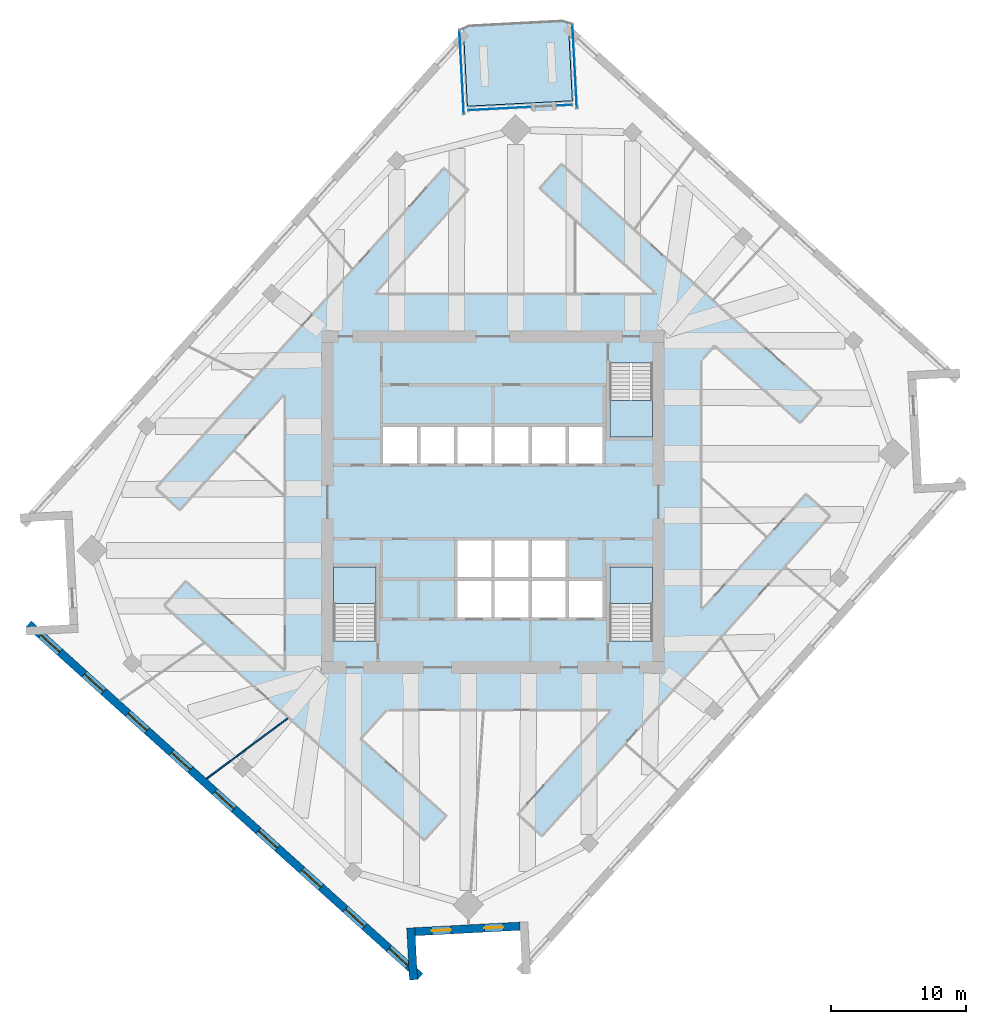
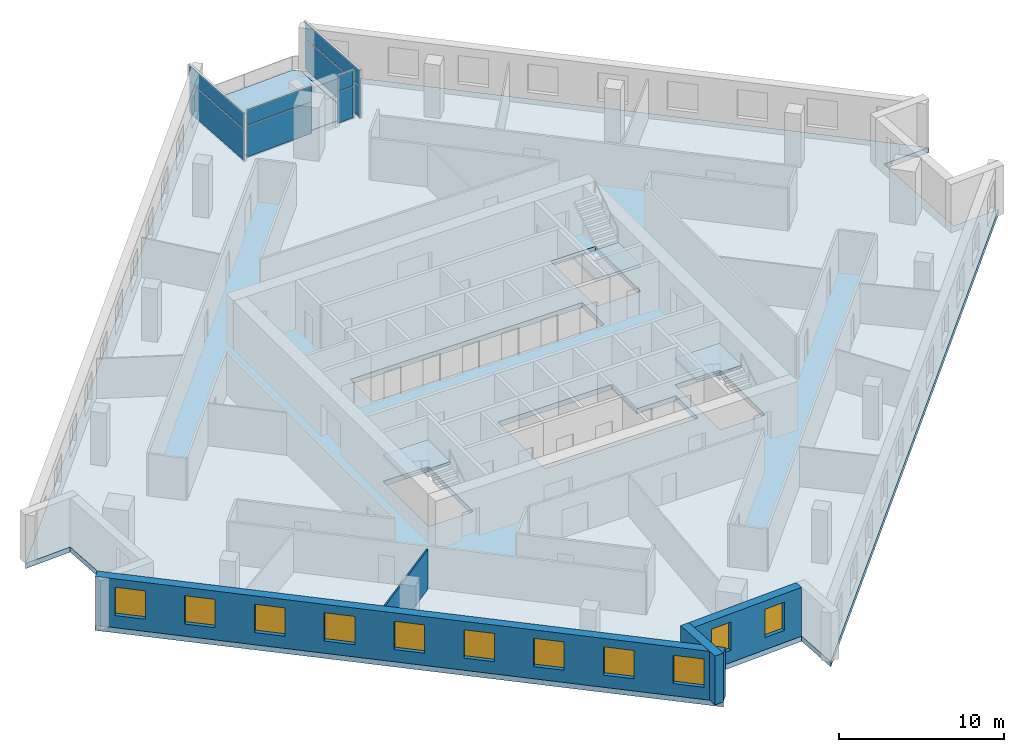
# One storey, part 5 of 12: 11 windows, 8 plates, 5 slabs, 4 walls, 11 openings, 7 elements without a shape of their own.
"""IFC4 building model written with IfcOpenShell, lengths in metres."""

from ifc_helpers import new_model, si_unit, direction, frame, frame_2d, origin, origin_2d, place, context, subcontext, project, spatial, polyline, rectangle, outline, extrude, material, layer, layer_set, type_object, element, fill, aggregate, save


model = new_model("IFC4")

# Units and contexts
model_context = context("Model", 3, precision=1e-05, world=origin(), true_north=direction((0.0, 1.0)))
body_context = subcontext(model_context, "Body", "Model", "MODEL_VIEW")
ifc_project = project(units=[si_unit("LENGTHUNIT", "METRE"), si_unit("AREAUNIT", "SQUARE_METRE"), si_unit("VOLUMEUNIT", "CUBIC_METRE"), si_unit("PLANEANGLEUNIT", "RADIAN"), si_unit("MASSUNIT", "GRAM", prefix="KILO")], contexts=[model_context])

# Site, building, storey
site_placement = place(None, origin())
site = spatial("IfcSite", under=ifc_project, at=site_placement, CompositionType="ELEMENT")
building_placement = place(site_placement, origin())
building = spatial("IfcBuilding", under=site, at=building_placement, Name="Dilmun Exchange Tower", CompositionType="ELEMENT")
storey_placement = place(building_placement, frame((0.0, 0.0, 217.300048828125)))
storey = spatial("IfcBuildingStorey", under=building, at=storey_placement, Name="L51", CompositionType="ELEMENT", Elevation=217.300048828125)

# Stair, slab
ifc_material_1 = material(Name="Concrete C40/50", Category="concrete")
stair_type = type_object("IfcStairType", Name="Exit stair 1500 half-turn", PredefinedType="HALF_TURN_STAIR", material=ifc_material_1)
stair_1_placement = place(storey_placement, origin())
stair_1 = element("IfcStair", 1, at=stair_1_placement, inside=storey, type_object=stair_type, Name="L51 Protected exit stair ST1", PredefinedType="HALF_TURN_STAIR")
ifc_layer_1 = layer(ifc_material_1, 0.199951171875)
ifc_layer_set_1 = layer_set([ifc_layer_1], Name="Concrete C40/50")
slab_type_1 = type_object("IfcSlabType", Name="Exit stair landing 200", PredefinedType="LANDING", material=ifc_layer_set_1)
slab_1_placement = place(storey_placement, frame((0.0, 0.0, 1.800048828125)))
slab_1 = element("IfcSlab", 2, at=slab_1_placement, type_object=slab_type_1, Name="ST1 landing 1", PredefinedType="LANDING", context=body_context, shape_type="SweptSolid", body=[
    extrude(outline(polyline([(8.64990234375, 7.5), (8.64990234375, 4.800048828125), (11.800048828125, 4.800048828125), (11.800048828125, 7.5), (8.64990234375, 7.5)])), origin(), (0.0, 0.0, 1.0), 0.199951171875),
])
aggregate(stair_1, [slab_1])

stair_2_placement = place(storey_placement, origin())
stair_2 = element("IfcStair", 3, at=stair_2_placement, inside=storey, type_object=stair_type, Name="L51 Protected exit stair ST2", PredefinedType="HALF_TURN_STAIR")
slab_2_placement = place(storey_placement, frame((0.0, 0.0, 1.800048828125)))
slab_2 = element("IfcSlab", 4, at=slab_2_placement, type_object=slab_type_1, Name="ST2 landing 1", PredefinedType="LANDING", context=body_context, shape_type="SweptSolid", body=[
    extrude(outline(polyline([(-8.64990234375, -7.5), (-8.64990234375, -4.800048828125), (-11.800048828125, -4.800048828125), (-11.800048828125, -7.5), (-8.64990234375, -7.5)])), origin(), (0.0, 0.0, 1.0), 0.199951171875),
])
aggregate(stair_2, [slab_2])

stair_3_placement = place(storey_placement, origin())
stair_3 = element("IfcStair", 5, at=stair_3_placement, inside=storey, type_object=stair_type, Name="L51 Protected exit stair ST3", PredefinedType="HALF_TURN_STAIR")
slab_3_placement = place(storey_placement, frame((0.0, 0.0, 1.800048828125)))
slab_3 = element("IfcSlab", 6, at=slab_3_placement, type_object=slab_type_1, Name="ST3 landing 1", PredefinedType="LANDING", context=body_context, shape_type="SweptSolid", body=[
    extrude(outline(polyline([(11.800048828125, -7.5), (11.800048828125, -4.800048828125), (8.64990234375, -4.800048828125), (8.64990234375, -7.5), (11.800048828125, -7.5)])), origin(), (0.0, 0.0, 1.0), 0.199951171875),
])
aggregate(stair_3, [slab_3])

# Curtain wall, plates
ifc_material_2 = material(Name="Anodised aluminium and clear glass", Category="aluminium")
curtain_wall_type = type_object("IfcCurtainWallType", Name="Garden corner glazing", PredefinedType="NOTDEFINED", material=ifc_material_2)
curtain_wall_1_placement = place(storey_placement, origin())
curtain_wall_1 = element("IfcCurtainWall", 7, at=curtain_wall_1_placement, inside=storey, type_object=curtain_wall_type, Name="Garden corner glazing run GC1.1", PredefinedType="NOTDEFINED")
ifc_material_3 = material(Name="Clear glass", Category="glass")
ifc_layer_2 = layer(ifc_material_3, 0.028076171875)
ifc_layer_set_2 = layer_set([ifc_layer_2], Name="Clear glass")
plate_type = type_object("IfcPlateType", Name="Garden corner glazing glass panel 28", PredefinedType="CURTAIN_PANEL", material=ifc_layer_set_2)
plate_1_placement = place(storey_placement, frame((6.045654296875, 32.2392578125, 0.059814453125), z_axis=(0.0, 0.0, 1.0), x_axis=(0.052333643452, -0.99862965596, 0.0)))
plate_1 = element("IfcPlate", 8, at=plate_1_placement, type_object=plate_type, Name="GC1.1 panel 1.1", PredefinedType="CURTAIN_PANEL", context=body_context, shape_type="SweptSolid", body=[
    extrude(rectangle(XDim=6.12646484375, YDim=0.028076171875, at=origin_2d()), origin(), (0.0, 0.0, 1.0), 2.31005859375),
])
plate_2_placement = place(storey_placement, frame((6.045654296875, 32.2392578125, 2.429931640625), z_axis=(0.0, 0.0, 1.0), x_axis=(0.052333643452, -0.99862965596, 0.0)))
plate_2 = element("IfcPlate", 9, at=plate_2_placement, type_object=plate_type, Name="GC1.1 panel 1.2", PredefinedType="CURTAIN_PANEL", context=body_context, shape_type="SweptSolid", body=[
    extrude(rectangle(XDim=6.12646484375, YDim=0.028076171875, at=origin_2d()), origin(), (0.0, 0.0, 1.0), 1.1298828125),
])
aggregate(curtain_wall_1, [plate_1, plate_2])

curtain_wall_2_placement = place(storey_placement, origin())
curtain_wall_2 = element("IfcCurtainWall", 10, at=curtain_wall_2_placement, inside=storey, type_object=curtain_wall_type, Name="Garden corner glazing run GC2.1", PredefinedType="NOTDEFINED")
plate_3_placement = place(storey_placement, frame((5.275146484375, 29.37158203125, 0.059814453125), z_axis=(0.0, 0.0, 1.0), x_axis=(-0.998627399071, -0.052376691608, 0.0)))
plate_3 = element("IfcPlate", 11, at=plate_3_placement, type_object=plate_type, Name="GC2.1 panel 1.1", PredefinedType="CURTAIN_PANEL", context=body_context, shape_type="SweptSolid", body=[
    extrude(rectangle(XDim=1.119140625, YDim=0.028076171875, at=origin_2d()), origin(), (0.0, 0.0, 1.0), 2.31005859375),
])
plate_4_placement = place(storey_placement, frame((5.275146484375, 29.37158203125, 2.429931640625), z_axis=(0.0, 0.0, 1.0), x_axis=(-0.998627399071, -0.052376691608, 0.0)))
plate_4 = element("IfcPlate", 12, at=plate_4_placement, type_object=plate_type, Name="GC2.1 panel 1.2", PredefinedType="CURTAIN_PANEL", context=body_context, shape_type="SweptSolid", body=[
    extrude(rectangle(XDim=1.119140625, YDim=0.028076171875, at=origin_2d()), origin(), (0.0, 0.0, 1.0), 1.1298828125),
])
aggregate(curtain_wall_2, [plate_3, plate_4])

curtain_wall_3_placement = place(storey_placement, origin())
curtain_wall_3 = element("IfcCurtainWall", 13, at=curtain_wall_3_placement, inside=storey, type_object=curtain_wall_type, Name="Garden corner glazing run GC2.3", PredefinedType="NOTDEFINED")
plate_5_placement = place(storey_placement, frame((0.49267578125, 29.12109375, 0.059814453125), z_axis=(0.0, 0.0, 1.0), x_axis=(-0.998629811068, -0.052330683595, 0.0)))
plate_5 = element("IfcPlate", 14, at=plate_5_placement, type_object=plate_type, Name="GC2.3 panel 1.1", PredefinedType="CURTAIN_PANEL", context=body_context, shape_type="SweptSolid", body=[
    extrude(rectangle(XDim=4.619140625, YDim=0.028076171875, at=origin_2d()), origin(), (0.0, 0.0, 1.0), 2.31005859375),
])
plate_6_placement = place(storey_placement, frame((0.49267578125, 29.12109375, 2.429931640625), z_axis=(0.0, 0.0, 1.0), x_axis=(-0.998629811068, -0.052330683595, 0.0)))
plate_6 = element("IfcPlate", 15, at=plate_6_placement, type_object=plate_type, Name="GC2.3 panel 1.2", PredefinedType="CURTAIN_PANEL", context=body_context, shape_type="SweptSolid", body=[
    extrude(rectangle(XDim=4.619140625, YDim=0.028076171875, at=origin_2d()), origin(), (0.0, 0.0, 1.0), 1.1298828125),
])
aggregate(curtain_wall_3, [plate_5, plate_6])

curtain_wall_4_placement = place(storey_placement, origin())
curtain_wall_4 = element("IfcCurtainWall", 16, at=curtain_wall_4_placement, inside=storey, type_object=curtain_wall_type, Name="Garden corner glazing run GC3.1", PredefinedType="NOTDEFINED")
plate_7_placement = place(storey_placement, frame((-2.321044921875, 31.800537109375, 0.059814453125), z_axis=(0.0, 0.0, 1.0), x_axis=(-0.052333643452, 0.99862965596, 0.0)))
plate_7 = element("IfcPlate", 17, at=plate_7_placement, type_object=plate_type, Name="GC3.1 panel 1.1", PredefinedType="CURTAIN_PANEL", context=body_context, shape_type="SweptSolid", body=[
    extrude(rectangle(XDim=6.12646484375, YDim=0.028076171875, at=origin_2d()), origin(), (0.0, 0.0, 1.0), 2.31005859375),
])
plate_8_placement = place(storey_placement, frame((-2.321044921875, 31.800537109375, 2.429931640625), z_axis=(0.0, 0.0, 1.0), x_axis=(-0.052333643452, 0.99862965596, 0.0)))
plate_8 = element("IfcPlate", 18, at=plate_8_placement, type_object=plate_type, Name="GC3.1 panel 1.2", PredefinedType="CURTAIN_PANEL", context=body_context, shape_type="SweptSolid", body=[
    extrude(rectangle(XDim=6.12646484375, YDim=0.028076171875, at=origin_2d()), origin(), (0.0, 0.0, 1.0), 1.1298828125),
])
aggregate(curtain_wall_4, [plate_7, plate_8])

# Slabs
ifc_layer_3 = layer(ifc_material_1, 0.3798828125)
ifc_layer_set_3 = layer_set([ifc_layer_3], Name="Concrete C40/50")
slab_type_2 = type_object("IfcSlabType", Name="RC floor slab 380", PredefinedType="FLOOR", material=ifc_layer_set_3)
slab_4_placement = place(storey_placement, frame((0.0, 0.0, -0.380126953125)))
element("IfcSlab", 19, at=slab_4_placement, inside=storey, type_object=slab_type_2, Name="Floor slab", PredefinedType="FLOOR", context=body_context, shape_type="SweptSolid", body=[
    extrude(outline(polyline([(31.3232421875, 9.076416015625), (31.730224609375, 1.308837890625), (34.972412109375, 1.478759765625), (2.184814453125, -34.935302734375), (2.014892578125, -31.693359375), (-5.75244140625, -32.100341796875), (-5.58251953125, -35.34228515625), (-34.565185546875, -9.246337890625), (-31.3232421875, -9.076416015625), (-31.730224609375, -1.308837890625), (-34.972412109375, -1.478759765625), (-2.184814453125, 34.935302734375), (-1.889404296875, 29.296630859375), (5.878173828125, 29.70361328125), (5.58251953125, 35.34228515625), (34.565185546875, 9.246337890625), (31.3232421875, 9.076416015625)]), holes=[polyline([(-8.64990234375, -4.800048828125), (-11.800048828125, -4.800048828125), (-11.800048828125, -10.294921875), (-8.64990234375, -10.294921875), (-8.64990234375, -4.800048828125)]), polyline([(11.800048828125, -4.800048828125), (8.64990234375, -4.800048828125), (8.64990234375, -10.294921875), (11.800048828125, -10.294921875), (11.800048828125, -4.800048828125)]), polyline([(5.375, -2.85009765625), (-2.625, -2.85009765625), (-2.625, -8.550048828125), (8.125, -8.550048828125), (8.125, -5.85009765625), (5.375, -5.85009765625), (5.375, -2.85009765625)]), polyline([(8.125, 2.85009765625), (8.125, 5.550048828125), (-8.125, 5.550048828125), (-8.125, 2.85009765625), (8.125, 2.85009765625)]), polyline([(8.64990234375, 10.294921875), (8.64990234375, 4.800048828125), (11.800048828125, 4.800048828125), (11.800048828125, 10.294921875), (8.64990234375, 10.294921875)])]), origin(), (0.0, 0.0, 1.0), 0.380126953125),
])
ifc_layer_4 = layer(ifc_material_1, 0.300048828125)
ifc_layer_set_4 = layer_set([ifc_layer_4], Name="Concrete C40/50")
slab_type_3 = type_object("IfcSlabType", Name="RC garden terrace slab 300", PredefinedType="FLOOR", material=ifc_layer_set_4)
slab_5_placement = place(storey_placement, frame((0.0, 0.0, -0.300048828125)))
element("IfcSlab", 20, at=slab_5_placement, inside=storey, type_object=slab_type_3, Name="Garden terrace slab", PredefinedType="FLOOR", context=body_context, shape_type="SweptSolid", body=[
    extrude(outline(polyline([(-1.889404296875, 29.296630859375), (-2.184814453125, 34.935302734375), (-1.850341796875, 35.306884765625), (5.2109375, 35.677001953125), (5.58251953125, 35.34228515625), (5.878173828125, 29.70361328125), (-1.889404296875, 29.296630859375)])), origin(), (0.0, 0.0, 1.0), 0.300048828125),
])

# Wall
ifc_material_4 = material(Name="Partition 100")
ifc_layer_5 = layer(ifc_material_4, 0.10009765625)
ifc_layer_set_5 = layer_set([ifc_layer_5], Name="Partition 100")
wall_type_1 = type_object("IfcWallType", Name="Partition 100", PredefinedType="PARTITIONING", material=ifc_layer_set_5)
wall_1_placement = place(storey_placement, frame((-21.193359375, -20.476318359375, 0.0), z_axis=(0.0, 0.0, 1.0), x_axis=(0.802187781021, 0.597071824808, 0.0)))
element("IfcWall", 21, at=wall_1_placement, inside=storey, type_object=wall_type_1, Name="Partition", PredefinedType="PARTITIONING", context=body_context, shape_type="SweptSolid", body=[
    extrude(rectangle(XDim=7.480712890625, YDim=0.10009765625, at=frame_2d((3.740234375, 0.0))), origin(), (0.0, 0.0, 1.0), 2.969970703125),
])

# Wall, openings, windows
ifc_material_5 = material(Name="Precast concrete C50/60", Category="concrete")
ifc_layer_6 = layer(ifc_material_5, 0.60009765625)
ifc_layer_set_6 = layer_set([ifc_layer_6], Name="Precast concrete C50/60")
wall_type_2 = type_object("IfcWallType", Name="Precast stone-clad wall 600", PredefinedType="STANDARD", material=ifc_layer_set_6)
wall_2_placement = place(storey_placement, frame((-34.364501953125, -9.0234375, 0.0), z_axis=(0.0, 0.0, 1.0), x_axis=(0.743146896498, -0.66912830625, 0.0)))
wall_2 = element("IfcWall", 22, at=wall_2_placement, inside=storey, type_object=wall_type_2, Name="Facade wall L51-07", PredefinedType="STANDARD", context=body_context, shape_type="SweptSolid", body=[
    extrude(rectangle(XDim=39.0, YDim=0.60009765625, at=frame_2d((19.5, 0.0))), origin(), (0.0, 0.0, 1.0), 3.619873046875),
])
opening_1_placement = place(wall_2_placement, frame((1.216796875, 0.0, 0.89990234375)))
opening_1 = element("IfcOpeningElement", 23, at=opening_1_placement, cuts=wall_2, Name="Opening W190-210", PredefinedType="OPENING", context=body_context, shape_type="SweptSolid", body=[
    extrude(rectangle(XDim=1.89990234375, YDim=2.10009765625, at=frame_2d((0.949951171875, 1.050048828125))), frame((0.0, 0.31005859375, 0.0), z_axis=(0.0, -1.0, 0.0), x_axis=(1.0, 0.0, 0.0)), (0.0, 0.0, 1.0), 0.6201171875),
])
opening_2_placement = place(wall_2_placement, frame((5.550048828125, 0.0, 0.89990234375)))
opening_2 = element("IfcOpeningElement", 24, at=opening_2_placement, cuts=wall_2, Name="Opening W190-210", PredefinedType="OPENING", context=body_context, shape_type="SweptSolid", body=[
    extrude(rectangle(XDim=1.89990234375, YDim=2.10009765625, at=frame_2d((0.949951171875, 1.050048828125))), frame((0.0, 0.31005859375, 0.0), z_axis=(0.0, -1.0, 0.0), x_axis=(1.0, 0.0, 0.0)), (0.0, 0.0, 1.0), 0.6201171875),
])
opening_3_placement = place(wall_2_placement, frame((9.88330078125, 0.0, 0.89990234375)))
opening_3 = element("IfcOpeningElement", 25, at=opening_3_placement, cuts=wall_2, Name="Opening W190-210", PredefinedType="OPENING", context=body_context, shape_type="SweptSolid", body=[
    extrude(rectangle(XDim=1.89990234375, YDim=2.10009765625, at=frame_2d((0.949951171875, 1.050048828125))), frame((0.0, 0.31005859375, 0.0), z_axis=(0.0, -1.0, 0.0), x_axis=(1.0, 0.0, 0.0)), (0.0, 0.0, 1.0), 0.6201171875),
])
opening_4_placement = place(wall_2_placement, frame((14.216796875, 0.0, 0.89990234375)))
opening_4 = element("IfcOpeningElement", 26, at=opening_4_placement, cuts=wall_2, Name="Opening W190-210", PredefinedType="OPENING", context=body_context, shape_type="SweptSolid", body=[
    extrude(rectangle(XDim=1.89990234375, YDim=2.10009765625, at=frame_2d((0.949951171875, 1.050048828125))), frame((0.0, 0.31005859375, 0.0), z_axis=(0.0, -1.0, 0.0), x_axis=(1.0, 0.0, 0.0)), (0.0, 0.0, 1.0), 0.6201171875),
])
opening_5_placement = place(wall_2_placement, frame((18.550048828125, 0.0, 0.89990234375)))
opening_5 = element("IfcOpeningElement", 27, at=opening_5_placement, cuts=wall_2, Name="Opening W190-210", PredefinedType="OPENING", context=body_context, shape_type="SweptSolid", body=[
    extrude(rectangle(XDim=1.89990234375, YDim=2.10009765625, at=frame_2d((0.949951171875, 1.050048828125))), frame((0.0, 0.31005859375, 0.0), z_axis=(0.0, -1.0, 0.0), x_axis=(1.0, 0.0, 0.0)), (0.0, 0.0, 1.0), 0.6201171875),
])
opening_6_placement = place(wall_2_placement, frame((22.88330078125, 0.0, 0.89990234375)))
opening_6 = element("IfcOpeningElement", 28, at=opening_6_placement, cuts=wall_2, Name="Opening W190-210", PredefinedType="OPENING", context=body_context, shape_type="SweptSolid", body=[
    extrude(rectangle(XDim=1.89990234375, YDim=2.10009765625, at=frame_2d((0.949951171875, 1.050048828125))), frame((0.0, 0.31005859375, 0.0), z_axis=(0.0, -1.0, 0.0), x_axis=(1.0, 0.0, 0.0)), (0.0, 0.0, 1.0), 0.6201171875),
])
opening_7_placement = place(wall_2_placement, frame((27.216796875, 0.0, 0.89990234375)))
opening_7 = element("IfcOpeningElement", 29, at=opening_7_placement, cuts=wall_2, Name="Opening W190-210", PredefinedType="OPENING", context=body_context, shape_type="SweptSolid", body=[
    extrude(rectangle(XDim=1.89990234375, YDim=2.10009765625, at=frame_2d((0.949951171875, 1.050048828125))), frame((0.0, 0.31005859375, 0.0), z_axis=(0.0, -1.0, 0.0), x_axis=(1.0, 0.0, 0.0)), (0.0, 0.0, 1.0), 0.6201171875),
])
opening_8_placement = place(wall_2_placement, frame((31.550048828125, 0.0, 0.89990234375)))
opening_8 = element("IfcOpeningElement", 30, at=opening_8_placement, cuts=wall_2, Name="Opening W190-210", PredefinedType="OPENING", context=body_context, shape_type="SweptSolid", body=[
    extrude(rectangle(XDim=1.89990234375, YDim=2.10009765625, at=frame_2d((0.949951171875, 1.050048828125))), frame((0.0, 0.31005859375, 0.0), z_axis=(0.0, -1.0, 0.0), x_axis=(1.0, 0.0, 0.0)), (0.0, 0.0, 1.0), 0.6201171875),
])
opening_9_placement = place(wall_2_placement, frame((35.88330078125, 0.0, 0.89990234375)))
opening_9 = element("IfcOpeningElement", 31, at=opening_9_placement, cuts=wall_2, Name="Opening W190-210", PredefinedType="OPENING", context=body_context, shape_type="SweptSolid", body=[
    extrude(rectangle(XDim=1.89990234375, YDim=2.10009765625, at=frame_2d((0.949951171875, 1.050048828125))), frame((0.0, 0.31005859375, 0.0), z_axis=(0.0, -1.0, 0.0), x_axis=(1.0, 0.0, 0.0)), (0.0, 0.0, 1.0), 0.6201171875),
])
ifc_material_6 = material(Name="Clear low-emissivity glass in aluminium frame", Category="aluminium")
window_type_1 = type_object("IfcWindowType", Name="Punched window 1900 x 2100", PartitioningType="DOUBLE_PANEL_VERTICAL", PredefinedType="WINDOW", material=ifc_material_6)
window_1_placement = place(opening_1_placement, origin())
window_1 = element("IfcWindow", 32, at=window_1_placement, inside=storey, type_object=window_type_1, Name="Window 8.1", OverallHeight=2.10009765625, OverallWidth=1.89990234375, PartitioningType="SINGLE_PANEL", PredefinedType="WINDOW", context=body_context, shape_type="SweptSolid", body=[
    extrude(rectangle(XDim=1.89990234375, YDim=2.10009765625, at=frame_2d((0.949951171875, 1.050048828125))), frame((0.0, 0.030029296875, 0.0), z_axis=(0.0, -1.0, 0.0), x_axis=(1.0, 0.0, 0.0)), (0.0, 0.0, 1.0), 0.06005859375),
])
fill(opening_1, window_1)
window_2_placement = place(opening_2_placement, origin())
window_2 = element("IfcWindow", 33, at=window_2_placement, inside=storey, type_object=window_type_1, Name="Window 8.2", OverallHeight=2.10009765625, OverallWidth=1.89990234375, PartitioningType="SINGLE_PANEL", PredefinedType="WINDOW", context=body_context, shape_type="SweptSolid", body=[
    extrude(rectangle(XDim=1.89990234375, YDim=2.10009765625, at=frame_2d((0.949951171875, 1.050048828125))), frame((0.0, 0.030029296875, 0.0), z_axis=(0.0, -1.0, 0.0), x_axis=(1.0, 0.0, 0.0)), (0.0, 0.0, 1.0), 0.06005859375),
])
fill(opening_2, window_2)
window_3_placement = place(opening_3_placement, origin())
window_3 = element("IfcWindow", 34, at=window_3_placement, inside=storey, type_object=window_type_1, Name="Window 8.3", OverallHeight=2.10009765625, OverallWidth=1.89990234375, PartitioningType="SINGLE_PANEL", PredefinedType="WINDOW", context=body_context, shape_type="SweptSolid", body=[
    extrude(rectangle(XDim=1.89990234375, YDim=2.10009765625, at=frame_2d((0.949951171875, 1.050048828125))), frame((0.0, 0.030029296875, 0.0), z_axis=(0.0, -1.0, 0.0), x_axis=(1.0, 0.0, 0.0)), (0.0, 0.0, 1.0), 0.06005859375),
])
fill(opening_3, window_3)
window_4_placement = place(opening_4_placement, origin())
window_4 = element("IfcWindow", 35, at=window_4_placement, inside=storey, type_object=window_type_1, Name="Window 8.4", OverallHeight=2.10009765625, OverallWidth=1.89990234375, PartitioningType="SINGLE_PANEL", PredefinedType="WINDOW", context=body_context, shape_type="SweptSolid", body=[
    extrude(rectangle(XDim=1.89990234375, YDim=2.10009765625, at=frame_2d((0.949951171875, 1.050048828125))), frame((0.0, 0.030029296875, 0.0), z_axis=(0.0, -1.0, 0.0), x_axis=(1.0, 0.0, 0.0)), (0.0, 0.0, 1.0), 0.06005859375),
])
fill(opening_4, window_4)
window_5_placement = place(opening_5_placement, origin())
window_5 = element("IfcWindow", 36, at=window_5_placement, inside=storey, type_object=window_type_1, Name="Window 8.5", OverallHeight=2.10009765625, OverallWidth=1.89990234375, PartitioningType="SINGLE_PANEL", PredefinedType="WINDOW", context=body_context, shape_type="SweptSolid", body=[
    extrude(rectangle(XDim=1.89990234375, YDim=2.10009765625, at=frame_2d((0.949951171875, 1.050048828125))), frame((0.0, 0.030029296875, 0.0), z_axis=(0.0, -1.0, 0.0), x_axis=(1.0, 0.0, 0.0)), (0.0, 0.0, 1.0), 0.06005859375),
])
fill(opening_5, window_5)
window_6_placement = place(opening_6_placement, origin())
window_6 = element("IfcWindow", 37, at=window_6_placement, inside=storey, type_object=window_type_1, Name="Window 8.6", OverallHeight=2.10009765625, OverallWidth=1.89990234375, PartitioningType="SINGLE_PANEL", PredefinedType="WINDOW", context=body_context, shape_type="SweptSolid", body=[
    extrude(rectangle(XDim=1.89990234375, YDim=2.10009765625, at=frame_2d((0.949951171875, 1.050048828125))), frame((0.0, 0.030029296875, 0.0), z_axis=(0.0, -1.0, 0.0), x_axis=(1.0, 0.0, 0.0)), (0.0, 0.0, 1.0), 0.06005859375),
])
fill(opening_6, window_6)
window_7_placement = place(opening_7_placement, origin())
window_7 = element("IfcWindow", 38, at=window_7_placement, inside=storey, type_object=window_type_1, Name="Window 8.7", OverallHeight=2.10009765625, OverallWidth=1.89990234375, PartitioningType="SINGLE_PANEL", PredefinedType="WINDOW", context=body_context, shape_type="SweptSolid", body=[
    extrude(rectangle(XDim=1.89990234375, YDim=2.10009765625, at=frame_2d((0.949951171875, 1.050048828125))), frame((0.0, 0.030029296875, 0.0), z_axis=(0.0, -1.0, 0.0), x_axis=(1.0, 0.0, 0.0)), (0.0, 0.0, 1.0), 0.06005859375),
])
fill(opening_7, window_7)
window_8_placement = place(opening_8_placement, origin())
window_8 = element("IfcWindow", 39, at=window_8_placement, inside=storey, type_object=window_type_1, Name="Window 8.8", OverallHeight=2.10009765625, OverallWidth=1.89990234375, PartitioningType="SINGLE_PANEL", PredefinedType="WINDOW", context=body_context, shape_type="SweptSolid", body=[
    extrude(rectangle(XDim=1.89990234375, YDim=2.10009765625, at=frame_2d((0.949951171875, 1.050048828125))), frame((0.0, 0.030029296875, 0.0), z_axis=(0.0, -1.0, 0.0), x_axis=(1.0, 0.0, 0.0)), (0.0, 0.0, 1.0), 0.06005859375),
])
fill(opening_8, window_8)
window_9_placement = place(opening_9_placement, origin())
window_9 = element("IfcWindow", 40, at=window_9_placement, inside=storey, type_object=window_type_1, Name="Window 8.9", OverallHeight=2.10009765625, OverallWidth=1.89990234375, PartitioningType="SINGLE_PANEL", PredefinedType="WINDOW", context=body_context, shape_type="SweptSolid", body=[
    extrude(rectangle(XDim=1.89990234375, YDim=2.10009765625, at=frame_2d((0.949951171875, 1.050048828125))), frame((0.0, 0.030029296875, 0.0), z_axis=(0.0, -1.0, 0.0), x_axis=(1.0, 0.0, 0.0)), (0.0, 0.0, 1.0), 0.06005859375),
])
fill(opening_9, window_9)

# Wall
wall_3_placement = place(storey_placement, frame((-5.882080078125, -35.358154296875, 0.0), z_axis=(0.0, 0.0, 1.0), x_axis=(-0.05236228724, 0.998628154457, 0.0)))
element("IfcWall", 41, at=wall_3_placement, inside=storey, type_object=wall_type_2, Name="Facade wall L51-08", PredefinedType="STANDARD", context=body_context, shape_type="SweptSolid", body=[
    extrude(rectangle(XDim=3.8466796875, YDim=0.60009765625, at=frame_2d((1.92333984375, 0.0))), origin(), (0.0, 0.0, 1.0), 3.619873046875),
])

# Wall, openings, windows
wall_4_placement = place(storey_placement, frame((-5.768310546875, -31.80078125, 0.0), z_axis=(0.0, 0.0, 1.0), x_axis=(0.998630200543, 0.052323250701, 0.0)))
wall_4 = element("IfcWall", 42, at=wall_4_placement, inside=storey, type_object=wall_type_2, Name="Facade wall L51-09", PredefinedType="STANDARD", context=body_context, shape_type="SweptSolid", body=[
    extrude(rectangle(XDim=7.7783203125, YDim=0.60009765625, at=frame_2d((3.88916015625, 0.0))), origin(), (0.0, 0.0, 1.0), 3.619873046875),
])
opening_10_placement = place(wall_4_placement, frame((1.244384765625, 0.0, 0.89990234375)))
opening_10 = element("IfcOpeningElement", 43, at=opening_10_placement, cuts=wall_4, Name="Opening W140-210", PredefinedType="OPENING", context=body_context, shape_type="SweptSolid", body=[
    extrude(rectangle(XDim=1.39990234375, YDim=2.10009765625, at=frame_2d((0.699951171875, 1.050048828125))), frame((0.0, 0.31005859375, 0.0), z_axis=(0.0, -1.0, 0.0), x_axis=(1.0, 0.0, 0.0)), (0.0, 0.0, 1.0), 0.6201171875),
])
opening_11_placement = place(wall_4_placement, frame((5.133544921875, 0.0, 0.89990234375)))
opening_11 = element("IfcOpeningElement", 44, at=opening_11_placement, cuts=wall_4, Name="Opening W140-210", PredefinedType="OPENING", context=body_context, shape_type="SweptSolid", body=[
    extrude(rectangle(XDim=1.39990234375, YDim=2.10009765625, at=frame_2d((0.699951171875, 1.050048828125))), frame((0.0, 0.31005859375, 0.0), z_axis=(0.0, -1.0, 0.0), x_axis=(1.0, 0.0, 0.0)), (0.0, 0.0, 1.0), 0.6201171875),
])
window_type_2 = type_object("IfcWindowType", Name="Punched window 1400 x 2100", PartitioningType="DOUBLE_PANEL_VERTICAL", PredefinedType="WINDOW", material=ifc_material_6)
window_10_placement = place(opening_10_placement, origin())
window_10 = element("IfcWindow", 45, at=window_10_placement, inside=storey, type_object=window_type_2, Name="Window 10.1", OverallHeight=2.10009765625, OverallWidth=1.39990234375, PartitioningType="SINGLE_PANEL", PredefinedType="WINDOW", context=body_context, shape_type="SweptSolid", body=[
    extrude(rectangle(XDim=1.39990234375, YDim=2.10009765625, at=frame_2d((0.699951171875, 1.050048828125))), frame((0.0, 0.030029296875, 0.0), z_axis=(0.0, -1.0, 0.0), x_axis=(1.0, 0.0, 0.0)), (0.0, 0.0, 1.0), 0.06005859375),
])
fill(opening_10, window_10)
window_11_placement = place(opening_11_placement, origin())
window_11 = element("IfcWindow", 46, at=window_11_placement, inside=storey, type_object=window_type_2, Name="Window 10.2", OverallHeight=2.10009765625, OverallWidth=1.39990234375, PartitioningType="SINGLE_PANEL", PredefinedType="WINDOW", context=body_context, shape_type="SweptSolid", body=[
    extrude(rectangle(XDim=1.39990234375, YDim=2.10009765625, at=frame_2d((0.699951171875, 1.050048828125))), frame((0.0, 0.030029296875, 0.0), z_axis=(0.0, -1.0, 0.0), x_axis=(1.0, 0.0, 0.0)), (0.0, 0.0, 1.0), 0.06005859375),
])
fill(opening_11, window_11)

save(model, "model.ifc")
